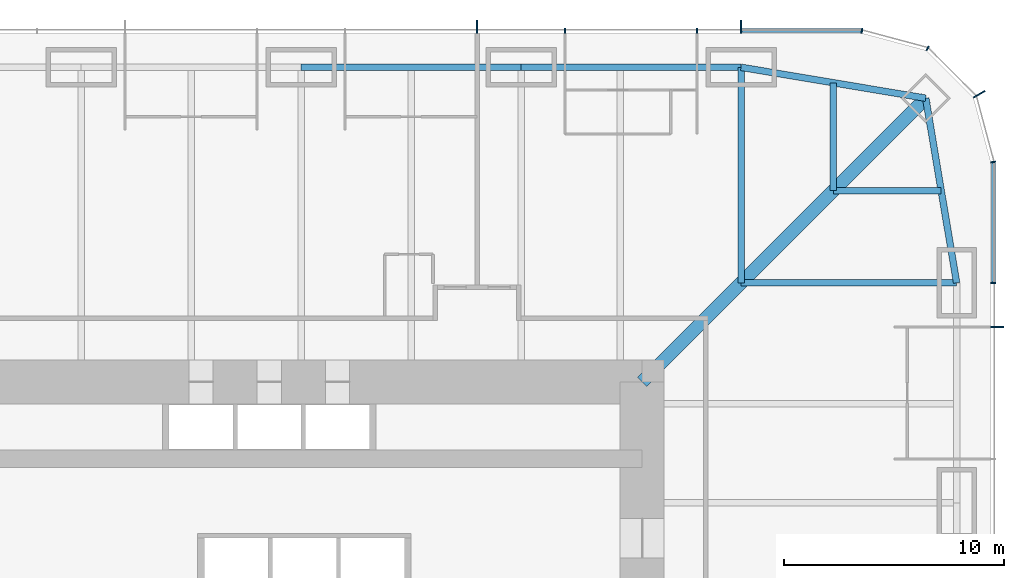
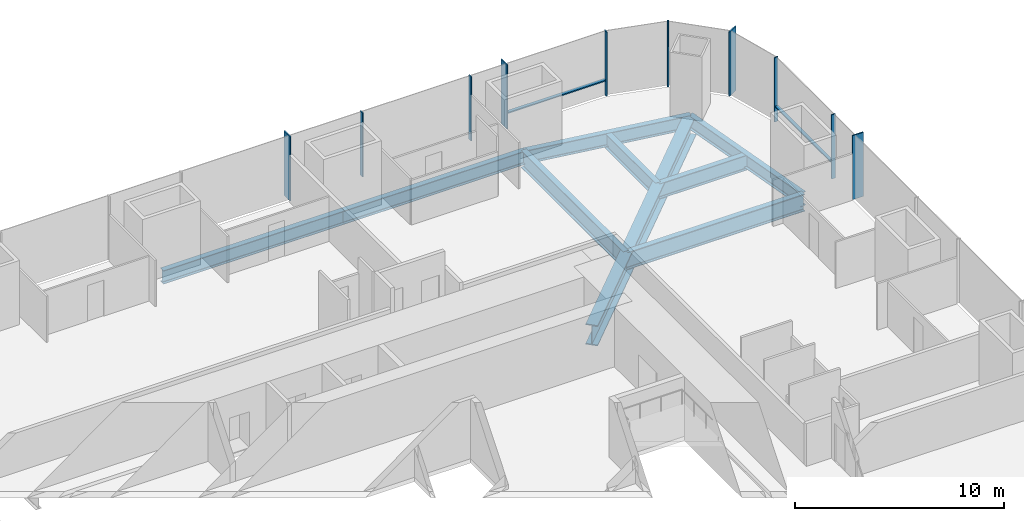
# One storey, part 9 of 16: 12 members, 9 beams, 3 elements without a shape of their own.
"""IFC4 building model written with IfcOpenShell, lengths in metres."""

from ifc_helpers import new_model, si_unit, direction, frame, origin, origin_2d, place, context, subcontext, project, spatial, rectangle, i_section, extrude, material, material_profile, profile_set, type_object, element, aggregate, save


model = new_model("IFC4")

# Units and contexts
model_context = context("Model", 3, precision=1e-05, world=origin(), true_north=direction((0.0, 1.0)))
body_context = subcontext(model_context, "Body", "Model", "MODEL_VIEW")
ifc_project = project(units=[si_unit("LENGTHUNIT", "METRE"), si_unit("AREAUNIT", "SQUARE_METRE"), si_unit("VOLUMEUNIT", "CUBIC_METRE"), si_unit("PLANEANGLEUNIT", "RADIAN"), si_unit("MASSUNIT", "GRAM", prefix="KILO")], contexts=[model_context])

# Site, building, storey
site_placement = place(None, origin())
site = spatial("IfcSite", under=ifc_project, at=site_placement, CompositionType="ELEMENT")
building_placement = place(site_placement, origin())
building = spatial("IfcBuilding", under=site, at=building_placement, Name="Khuree Lantern Residences", CompositionType="ELEMENT")
storey_placement = place(building_placement, frame((0.0, 0.0, 62.25)))
storey = spatial("IfcBuildingStorey", under=building, at=storey_placement, Name="L15", CompositionType="ELEMENT", Elevation=62.25)

# Beams
ifc_material_1 = material(Name="Steel S355", Category="steel")
ifc_material_profile_1 = material_profile(ifc_material_1, i_section(OverallWidth=0.300048828125, OverallDepth=0.889892578125, WebThickness=0.01611328125, FlangeThickness=0.030029296875, FilletRadius=0.030029296875, at=origin_2d()), Name="HE 900 A")
ifc_profile_set_1 = profile_set([ifc_material_profile_1], Name="Steel S355")
beam_type_1 = type_object("IfcBeamType", Name="B-13 SECONDARY BEAM HE 900 A", PredefinedType="BEAM", material=ifc_profile_set_1)
for number, where, z_axis, x_axis, name in (
    (1, (24.197021484375, 29.09716796875, -0.695068359375), (0.0, -1.0, 0.0), (1.0, 0.0, 0.0), "Secondary beam N5"),
    (2, (29.09716796875, 24.197021484375, -0.695068359375), (-1.0, 0.0, 0.0), (0.0, -1.0, 0.0), "Secondary beam E1"),
):
    element("IfcBeam", number, at=place(storey_placement, frame(where, z_axis=z_axis, x_axis=x_axis)), inside=storey, type_object=beam_type_1, Name=name, PredefinedType="BEAM", context=body_context, shape_type="SweptSolid", body=[
        extrude(i_section(OverallWidth=0.300048828125, OverallDepth=0.889892578125, WebThickness=0.01611328125, FlangeThickness=0.030029296875, FilletRadius=0.030029296875, at=origin_2d()), origin(), (0.0, 0.0, 1.0), 4.900146484375),
    ])
ifc_material_profile_2 = material_profile(ifc_material_1, i_section(OverallWidth=0.300048828125, OverallDepth=0.7900390625, WebThickness=0.014892578125, FlangeThickness=0.028076171875, FilletRadius=0.030029296875, at=origin_2d()), Name="HE 800 A")
ifc_profile_set_2 = profile_set([ifc_material_profile_2], Name="Steel S355")
beam_type_2 = type_object("IfcBeamType", Name="E-13 SPANDREL BEAM HE 800 A", PredefinedType="SPANDREL", material=ifc_profile_set_2)
for number, where, z_axis, x_axis, name in (
    (3, (0.0, 29.800048828125, -0.64501953125), (1.0, 0.0, 0.0), (0.0, 1.0, 0.0), "Spandrel beam N3"),
    (4, (10.0, 29.800048828125, -0.64501953125), (1.0, 0.0, 0.0), (0.0, 1.0, 0.0), "Spandrel beam N4"),
):
    element("IfcBeam", number, at=place(storey_placement, frame(where, z_axis=z_axis, x_axis=x_axis)), inside=storey, type_object=beam_type_2, Name=name, PredefinedType="SPANDREL", context=body_context, shape_type="SweptSolid", body=[
        extrude(i_section(OverallWidth=0.300048828125, OverallDepth=0.7900390625, WebThickness=0.014892578125, FlangeThickness=0.028076171875, FilletRadius=0.030029296875, at=origin_2d()), origin(), (0.0, 0.0, 1.0), 10.0),
    ])
for number, where, z_axis, x_axis, name in (
    (5, (20.0, 29.800048828125, -0.64501953125), (0.986260251158, -0.165199022349, 0.0), (0.165199022349, 0.986260251158, 0.0), "Spandrel beam N5"),
    (6, (28.39404296875, 28.39404296875, -0.64501953125), (0.165199022349, -0.986260251158, 0.0), (0.986260251158, 0.165199022349, 0.0), "Spandrel beam E1"),
):
    element("IfcBeam", number, at=place(storey_placement, frame(where, z_axis=z_axis, x_axis=x_axis)), inside=storey, type_object=beam_type_2, Name=name, PredefinedType="SPANDREL", context=body_context, shape_type="SweptSolid", body=[
        extrude(i_section(OverallWidth=0.300048828125, OverallDepth=0.7900390625, WebThickness=0.014892578125, FlangeThickness=0.028076171875, FilletRadius=0.030029296875, at=origin_2d()), origin(), (0.0, 0.0, 1.0), 8.510986328125),
    ])

# Curtain wall, member
ifc_material_2 = material(Name="Bronze anodised aluminium", Category="aluminium")
curtain_wall_type_1 = type_object("IfcCurtainWallType", Name="CW-T1 TOWER FACE CURTAIN WALL", PredefinedType="USERDEFINED", material=ifc_material_2)
curtain_wall_1_placement = place(storey_placement, origin())
curtain_wall_1 = element("IfcCurtainWall", 7, at=curtain_wall_1_placement, inside=storey, type_object=curtain_wall_type_1, Name="L15 EAST FACE CURTAIN WALL", ObjectType="Stick-built curtain wall", PredefinedType="USERDEFINED")
ifc_material_profile_3 = material_profile(ifc_material_2, rectangle(XDim=0.06494140625, YDim=0.60009765625, at=origin_2d()), Name="F1 65X600")
ifc_profile_set_3 = profile_set([ifc_material_profile_3], Name="Bronze anodised aluminium")
member_type_1 = type_object("IfcMemberType", Name="F1 BRONZE FIN MULLION TOWER 65X600", PredefinedType="MULLION", material=ifc_profile_set_3)
member_1_placement = place(storey_placement, frame((31.64990234375, 18.0, 0.0), z_axis=(0.0, 0.0, 1.0), x_axis=(0.0, 1.0, 0.0)))
member_1 = element("IfcMember", 8, at=member_1_placement, type_object=member_type_1, Name="L15 EAST FACE FIN MULLION 13", PredefinedType="MULLION", context=body_context, shape_type="SweptSolid", body=[
    extrude(rectangle(XDim=0.06494140625, YDim=0.60009765625, at=origin_2d()), origin(), (0.0, 0.0, 1.0), 3.75),
])

curtain_wall_type_2 = type_object("IfcCurtainWallType", Name="CW-T2 TOWER CORNER CURTAIN WALL", PredefinedType="USERDEFINED", material=ifc_material_2)
curtain_wall_2_placement = place(storey_placement, origin())
curtain_wall_2 = element("IfcCurtainWall", 9, at=curtain_wall_2_placement, inside=storey, type_object=curtain_wall_type_2, Name="L15 NORTH-EAST CORNER CURTAIN WALL", ObjectType="Faceted corner curtain wall", PredefinedType="USERDEFINED")
member_2_placement = place(storey_placement, frame((30.826171875, 28.574951171875, 0.0), z_axis=(0.0, 0.0, 1.0), x_axis=(-0.500000056923, 0.86602537092, 0.0)))
member_2 = element("IfcMember", 10, at=member_2_placement, type_object=member_type_1, Name="L15 NORTH-EAST CORNER FIN MULLION 16", PredefinedType="MULLION", context=body_context, shape_type="SweptSolid", body=[
    extrude(rectangle(XDim=0.06494140625, YDim=0.60009765625, at=origin_2d()), origin(), (0.0, 0.0, 1.0), 3.75),
])

# Curtain wall, members
curtain_wall_3_placement = place(storey_placement, origin())
curtain_wall_3 = element("IfcCurtainWall", 11, at=curtain_wall_3_placement, inside=storey, type_object=curtain_wall_type_1, Name="L15 NORTH FACE CURTAIN WALL", ObjectType="Stick-built curtain wall", PredefinedType="USERDEFINED")
member_3_placement = place(storey_placement, frame((20.0, 31.64990234375, 0.0), z_axis=(0.0, 0.0, 1.0), x_axis=(-1.0, 0.0, 0.0)))
member_3 = element("IfcMember", 12, at=member_3_placement, type_object=member_type_1, Name="L15 NORTH FACE FIN MULLION 19", PredefinedType="MULLION", context=body_context, shape_type="SweptSolid", body=[
    extrude(rectangle(XDim=0.06494140625, YDim=0.60009765625, at=origin_2d()), origin(), (0.0, 0.0, 1.0), 3.75),
])
member_4_placement = place(storey_placement, frame((8.0, 31.64990234375, 0.0), z_axis=(0.0, 0.0, 1.0), x_axis=(-1.0, 0.0, 0.0)))
member_4 = element("IfcMember", 13, at=member_4_placement, type_object=member_type_1, Name="L15 NORTH FACE FIN MULLION 22", PredefinedType="MULLION", context=body_context, shape_type="SweptSolid", body=[
    extrude(rectangle(XDim=0.06494140625, YDim=0.60009765625, at=origin_2d()), origin(), (0.0, 0.0, 1.0), 3.75),
])

# Beams
ifc_material_profile_4 = material_profile(ifc_material_1, i_section(OverallWidth=0.302001953125, OverallDepth=1.008056640625, WebThickness=0.02099609375, FlangeThickness=0.0400390625, FilletRadius=0.030029296875, at=origin_2d()), Name="HE 1000 M")
ifc_profile_set_4 = profile_set([ifc_material_profile_4], Name="Steel S355")
beam_type_3 = type_object("IfcBeamType", Name="G-13 GIRDER HE 1000 M", PredefinedType="BEAM", material=ifc_profile_set_4)
for number, where, z_axis, x_axis, name in (
    (14, (20.0, 29.800048828125, -0.75390625), (0.0, -1.0, 0.0), (1.0, 0.0, 0.0), "Girder N5"),
    (15, (29.800048828125, 20.0, -0.75390625), (-1.0, 0.0, 0.0), (0.0, -1.0, 0.0), "Girder E1"),
):
    element("IfcBeam", number, at=place(storey_placement, frame(where, z_axis=z_axis, x_axis=x_axis)), inside=storey, type_object=beam_type_3, Name=name, PredefinedType="BEAM", context=body_context, shape_type="SweptSolid", body=[
        extrude(i_section(OverallWidth=0.302001953125, OverallDepth=1.008056640625, WebThickness=0.02099609375, FlangeThickness=0.0400390625, FilletRadius=0.030029296875, at=origin_2d()), origin(), (0.0, 0.0, 1.0), 9.800048828125),
    ])
ifc_material_profile_5 = material_profile(ifc_material_1, i_section(OverallWidth=0.60009765625, OverallDepth=1.199951171875, WebThickness=0.030029296875, FlangeThickness=0.06005859375, at=origin_2d()), Name="WELDED I 1200X600X30X60")
ifc_profile_set_5 = profile_set([ifc_material_profile_5], Name="Steel S355")
beam_type_4 = type_object("IfcBeamType", Name="GD-13 CORNER GIRDER WELDED I 1200X600X30X60", PredefinedType="BEAM", material=ifc_profile_set_5)
beam_placement = place(storey_placement, frame((28.39404296875, 28.39404296875, -0.85009765625), z_axis=(-0.707106781187, -0.707106781187, 0.0), x_axis=(0.707106781187, -0.707106781187, 0.0)))
element("IfcBeam", 16, at=beam_placement, inside=storey, type_object=beam_type_4, Name="Corner girder NE", PredefinedType="BEAM", context=body_context, shape_type="SweptSolid", body=[
    extrude(i_section(OverallWidth=0.60009765625, OverallDepth=1.199951171875, WebThickness=0.030029296875, FlangeThickness=0.06005859375, at=origin_2d()), origin(), (0.0, 0.0, 1.0), 18.23486328125),
])

# Member
ifc_material_profile_6 = material_profile(ifc_material_2, rectangle(XDim=0.06494140625, YDim=0.219970703125, at=origin_2d()), Name="M1 65X220")
ifc_profile_set_6 = profile_set([ifc_material_profile_6], Name="Bronze anodised aluminium")
member_type_2 = type_object("IfcMemberType", Name="M1 BRONZE MULLION TOWER 65X220", PredefinedType="MULLION", material=ifc_profile_set_6)
member_5_placement = place(storey_placement, frame((31.4599609375, 20.0, 0.0), z_axis=(0.0, 0.0, 1.0), x_axis=(0.0, 1.0, 0.0)))
member_5 = element("IfcMember", 17, at=member_5_placement, type_object=member_type_2, Name="L15 EAST FACE MULLION 14", PredefinedType="MULLION", context=body_context, shape_type="SweptSolid", body=[
    extrude(rectangle(XDim=0.06494140625, YDim=0.219970703125, at=origin_2d()), origin(), (0.0, 0.0, 1.0), 3.75),
])

member_6_placement = place(storey_placement, frame((31.461669921875, 25.494873046875, 0.0), z_axis=(0.0, 0.0, 1.0), x_axis=(-0.130526257387, 0.991444852794, 0.0)))
member_6 = element("IfcMember", 18, at=member_6_placement, type_object=member_type_2, Name="L15 NORTH-EAST CORNER MULLION 15", PredefinedType="MULLION", context=body_context, shape_type="SweptSolid", body=[
    extrude(rectangle(XDim=0.06494140625, YDim=0.219970703125, at=origin_2d()), origin(), (0.0, 0.0, 1.0), 3.75),
])

member_7_placement = place(storey_placement, frame((28.47998046875, 30.66162109375, 0.0), z_axis=(0.0, 0.0, 1.0), x_axis=(-0.86602537092, 0.500000056923, 0.0)))
member_7 = element("IfcMember", 19, at=member_7_placement, type_object=member_type_2, Name="L15 NORTH-EAST CORNER MULLION 17", PredefinedType="MULLION", context=body_context, shape_type="SweptSolid", body=[
    extrude(rectangle(XDim=0.06494140625, YDim=0.219970703125, at=origin_2d()), origin(), (0.0, 0.0, 1.0), 3.75),
])

aggregate(curtain_wall_2, [member_6, member_2, member_7])

member_8_placement = place(storey_placement, frame((25.494873046875, 31.461669921875, 0.0), z_axis=(0.0, 0.0, 1.0), x_axis=(-0.991444852794, 0.130526257387, 0.0)))
member_8 = element("IfcMember", 20, at=member_8_placement, type_object=member_type_2, Name="L15 NORTH FACE MULLION 18", PredefinedType="MULLION", context=body_context, shape_type="SweptSolid", body=[
    extrude(rectangle(XDim=0.06494140625, YDim=0.219970703125, at=origin_2d()), origin(), (0.0, 0.0, 1.0), 3.75),
])

member_9_placement = place(storey_placement, frame((18.0, 31.4599609375, 0.0), z_axis=(0.0, 0.0, 1.0), x_axis=(-1.0, 0.0, 0.0)))
member_9 = element("IfcMember", 21, at=member_9_placement, type_object=member_type_2, Name="L15 NORTH FACE MULLION 20", PredefinedType="MULLION", context=body_context, shape_type="SweptSolid", body=[
    extrude(rectangle(XDim=0.06494140625, YDim=0.219970703125, at=origin_2d()), origin(), (0.0, 0.0, 1.0), 3.75),
])

member_10_placement = place(storey_placement, frame((12.0, 31.4599609375, 0.0), z_axis=(0.0, 0.0, 1.0), x_axis=(-1.0, 0.0, 0.0)))
member_10 = element("IfcMember", 22, at=member_10_placement, type_object=member_type_2, Name="L15 NORTH FACE MULLION 21", PredefinedType="MULLION", context=body_context, shape_type="SweptSolid", body=[
    extrude(rectangle(XDim=0.06494140625, YDim=0.219970703125, at=origin_2d()), origin(), (0.0, 0.0, 1.0), 3.75),
])

ifc_material_profile_7 = material_profile(ifc_material_2, rectangle(XDim=0.179931640625, YDim=0.06494140625, at=origin_2d()), Name="T1 180X65")
ifc_profile_set_7 = profile_set([ifc_material_profile_7], Name="Bronze anodised aluminium")
member_type_3 = type_object("IfcMemberType", Name="TRANSOM T1 TOWER 180X65", PredefinedType="USERDEFINED", material=ifc_profile_set_7)
member_11_placement = place(storey_placement, frame((31.469970703125, 20.032470703125, 0.89990234375), z_axis=(0.0, 1.0, 0.0), x_axis=(-1.0, 0.0, 0.0)))
member_11 = element("IfcMember", 23, at=member_11_placement, type_object=member_type_3, Name="L15 EAST FACE TRANSOM 14.1", ObjectType="Transom", PredefinedType="USERDEFINED", context=body_context, shape_type="SweptSolid", body=[
    extrude(rectangle(XDim=0.179931640625, YDim=0.06494140625, at=origin_2d()), origin(), (0.0, 0.0, 1.0), 5.4189453125),
])

aggregate(curtain_wall_1, [member_1, member_5, member_11])

member_12_placement = place(storey_placement, frame((25.451416015625, 31.469970703125, 0.89990234375), z_axis=(-1.0, 0.0, 0.0), x_axis=(0.0, -1.0, 0.0)))
member_12 = element("IfcMember", 24, at=member_12_placement, type_object=member_type_3, Name="L15 NORTH FACE TRANSOM 18.1", ObjectType="Transom", PredefinedType="USERDEFINED", context=body_context, shape_type="SweptSolid", body=[
    extrude(rectangle(XDim=0.179931640625, YDim=0.06494140625, at=origin_2d()), origin(), (0.0, 0.0, 1.0), 5.4189453125),
])

aggregate(curtain_wall_3, [member_8, member_3, member_9, member_10, member_4, member_12])

save(model, "model.ifc")
